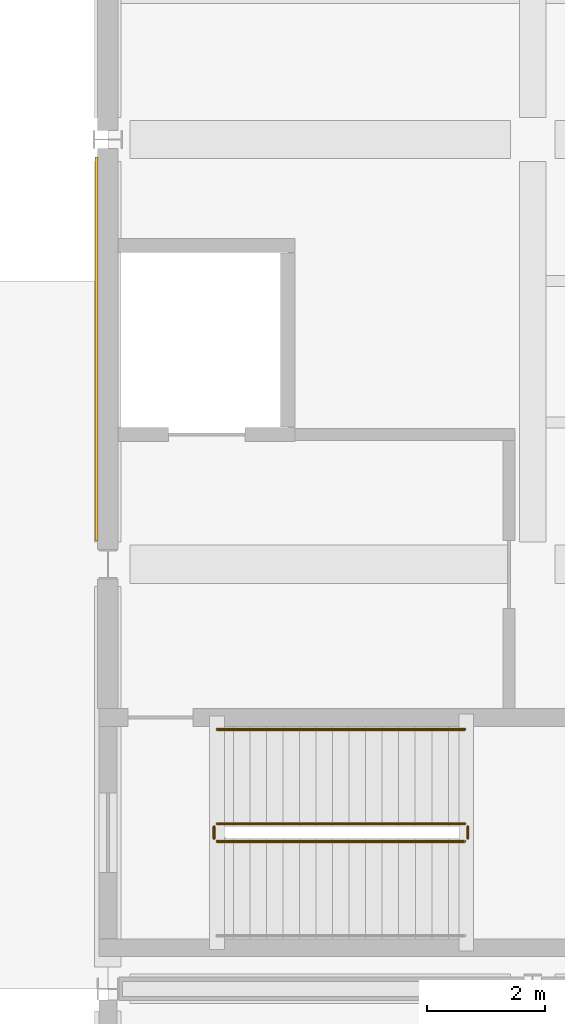
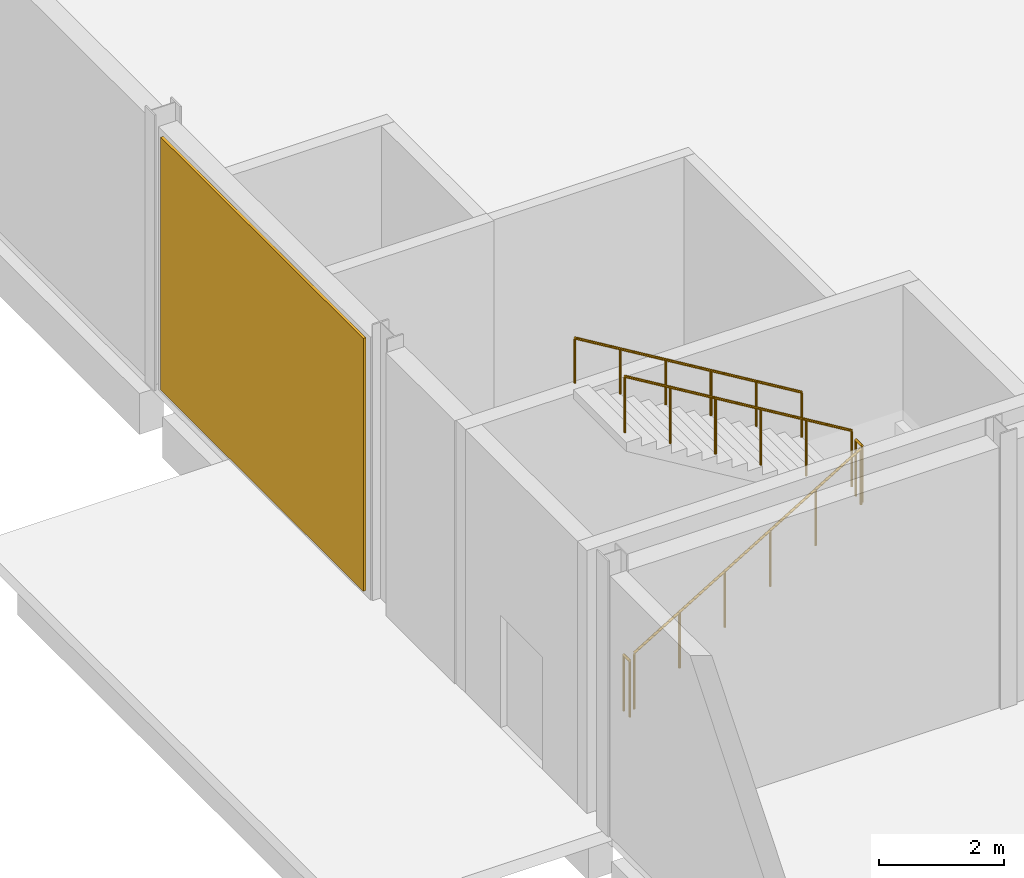
# One storey, part 41 of 46: 5 railings, 1 covering.
"""IFC4 building model written with IfcOpenShell, lengths in metres."""

from ifc_helpers import new_model, si_unit, direction, frame, origin, origin_2d, place, context, subcontext, project, spatial, rectangle, circle, extrude, material, layer, layer_set, type_object, element, save


model = new_model("IFC4")

# Units and contexts
model_context = context("Model", 3, precision=1e-05, world=origin(), true_north=direction((0.0, 1.0)))
body_context = subcontext(model_context, "Body", "Model", "MODEL_VIEW")
ifc_project = project(units=[si_unit("LENGTHUNIT", "METRE"), si_unit("AREAUNIT", "SQUARE_METRE"), si_unit("VOLUMEUNIT", "CUBIC_METRE"), si_unit("PLANEANGLEUNIT", "RADIAN"), si_unit("MASSUNIT", "GRAM", prefix="KILO"), si_unit("THERMODYNAMICTEMPERATUREUNIT", "KELVIN"), si_unit("POWERUNIT", "WATT")], contexts=[model_context])

# Site, building, storey
site_placement = place(None, origin())
site = spatial("IfcSite", under=ifc_project, at=site_placement, CompositionType="ELEMENT")
building_placement = place(site_placement, origin())
building = spatial("IfcBuilding", under=site, at=building_placement, Name="Kaldorven Railside Theatre", CompositionType="ELEMENT")
storey_placement = place(building_placement, origin())
storey = spatial("IfcBuildingStorey", under=building, at=storey_placement, Name="L00", CompositionType="ELEMENT", Elevation=0.0)

# Covering
ifc_material_1 = material(Name="Bush-hammered precast concrete C40/50", Category="concrete")
ifc_layer = layer(ifc_material_1, 0.050048828125, Name="Bush-hammered precast concrete C40/50")
ifc_layer_set = layer_set([ifc_layer], Name="Bush-hammered precast concrete C40/50")
covering_type = type_object("IfcCoveringType", Name="COV-CLD-01", PredefinedType="CLADDING", material=ifc_layer_set)
covering_placement = place(storey_placement, frame((87.00390625, 94.85009765625, 0.10009765625), z_axis=(0.0, 0.0, 1.0), x_axis=(0.0, 1.0, 0.0)))
element("IfcCovering", 1, at=covering_placement, inside=storey, type_object=covering_type, Name="Bush-Hammered Laterite Rainscreen Panel CLD-029", PredefinedType="CLADDING", context=body_context, shape_type="SweptSolid", body=[
    extrude(rectangle(XDim=6.5, YDim=0.050048828125, at=origin_2d()), origin(), (0.0, 0.0, 1.0), 4.949951171875),
])

# Railings
ifc_material_2 = material(Name="Steel S355", Category="steel")
railing_type_1 = type_object("IfcRailingType", Name="RLG-STG-1100", PredefinedType="BALUSTRADE", material=ifc_material_2)
railing_1_placement = place(storey_placement, frame((89.050048828125, 86.5, 0.168701171875)))
element("IfcRailing", 2, at=railing_1_placement, inside=storey, type_object=railing_type_1, Name="L00 ST-05 stair guard 1", PredefinedType="BALUSTRADE", context=body_context, shape_type="SweptSolid", body=[
    extrude(circle(Radius=0.02392578125, at=origin_2d()), frame((0.0, 0.0, 1.09619140625), z_axis=(0.856476492594, 0.0, 0.516186030065), x_axis=(0.0, 1.0, 0.0)), (0.0, 0.0, 1.0), 4.90380859375),
    extrude(circle(Radius=0.02099609375, at=origin_2d()), origin(), (0.0, 0.0, 1.0), 1.072021484375),
    extrude(circle(Radius=0.02099609375, at=origin_2d()), frame((0.840087890625, 0.0, 0.50634765625)), (0.0, 0.0, 1.0), 1.072021484375),
    extrude(circle(Radius=0.02099609375, at=origin_2d()), frame((1.679931640625, 0.0, 1.012451171875)), (0.0, 0.0, 1.0), 1.072021484375),
    extrude(circle(Radius=0.02099609375, at=origin_2d()), frame((2.52001953125, 0.0, 1.518798828125)), (0.0, 0.0, 1.0), 1.072021484375),
    extrude(circle(Radius=0.02099609375, at=origin_2d()), frame((3.35986328125, 0.0, 2.02490234375)), (0.0, 0.0, 1.0), 1.072021484375),
    extrude(circle(Radius=0.02099609375, at=origin_2d()), frame((4.199951171875, 0.0, 2.53125)), (0.0, 0.0, 1.0), 1.072021484375),
])
railing_2_placement = place(storey_placement, frame((93.300048828125, 86.550048828125, 2.699951171875)))
element("IfcRailing", 3, at=railing_2_placement, inside=storey, type_object=railing_type_1, Name="L00 ST-05 stair guard 2", PredefinedType="BALUSTRADE", context=body_context, shape_type="SweptSolid", body=[
    extrude(circle(Radius=0.02392578125, at=origin_2d()), frame((0.0, 0.0, 1.09619140625), z_axis=(0.0, 1.0, 0.0), x_axis=(-1.0, 0.0, 0.0)), (0.0, 0.0, 1.0), 0.199951171875),
    extrude(circle(Radius=0.02099609375, at=origin_2d()), origin(), (0.0, 0.0, 1.0), 1.072021484375),
    extrude(circle(Radius=0.02099609375, at=origin_2d()), frame((0.0, 0.199951171875, 0.0)), (0.0, 0.0, 1.0), 1.072021484375),
])
railing_3_placement = place(storey_placement, frame((93.25, 86.800048828125, 2.86865234375)))
element("IfcRailing", 4, at=railing_3_placement, inside=storey, type_object=railing_type_1, Name="L00 ST-05 stair guard 3", PredefinedType="BALUSTRADE", context=body_context, shape_type="SweptSolid", body=[
    extrude(circle(Radius=0.02392578125, at=origin_2d()), frame((0.0, 0.0, 1.09619140625), z_axis=(-0.856476492594, 0.0, 0.516186030065), x_axis=(0.0, -1.0, 0.0)), (0.0, 0.0, 1.0), 4.90380859375),
    extrude(circle(Radius=0.02099609375, at=origin_2d()), origin(), (0.0, 0.0, 1.0), 1.072021484375),
    extrude(circle(Radius=0.02099609375, at=origin_2d()), frame((-0.840087890625, 0.0, 0.50634765625)), (0.0, 0.0, 1.0), 1.072021484375),
    extrude(circle(Radius=0.02099609375, at=origin_2d()), frame((-1.679931640625, 0.0, 1.012451171875)), (0.0, 0.0, 1.0), 1.072021484375),
    extrude(circle(Radius=0.02099609375, at=origin_2d()), frame((-2.52001953125, 0.0, 1.518798828125)), (0.0, 0.0, 1.0), 1.072021484375),
    extrude(circle(Radius=0.02099609375, at=origin_2d()), frame((-3.35986328125, 0.0, 2.02490234375)), (0.0, 0.0, 1.0), 1.072021484375),
    extrude(circle(Radius=0.02099609375, at=origin_2d()), frame((-4.199951171875, 0.0, 2.53125)), (0.0, 0.0, 1.0), 1.072021484375),
])
railing_4_placement = place(storey_placement, frame((89.0, 86.550048828125, 0.0)))
element("IfcRailing", 5, at=railing_4_placement, inside=storey, type_object=railing_type_1, Name="L00 ST-05 stair guard 4", PredefinedType="BALUSTRADE", context=body_context, shape_type="SweptSolid", body=[
    extrude(circle(Radius=0.02392578125, at=origin_2d()), frame((0.0, 0.0, 1.09619140625), z_axis=(0.0, 1.0, 0.0), x_axis=(-1.0, 0.0, 0.0)), (0.0, 0.0, 1.0), 0.199951171875),
    extrude(circle(Radius=0.02099609375, at=origin_2d()), origin(), (0.0, 0.0, 1.0), 1.072021484375),
    extrude(circle(Radius=0.02099609375, at=origin_2d()), frame((0.0, 0.199951171875, 0.0)), (0.0, 0.0, 1.0), 1.072021484375),
])
railing_type_2 = type_object("IfcRailingType", Name="RLG-STH-900", PredefinedType="HANDRAIL", material=ifc_material_2)
railing_5_placement = place(storey_placement, frame((93.25, 88.39990234375, 2.86865234375)))
element("IfcRailing", 6, at=railing_5_placement, inside=storey, type_object=railing_type_2, Name="L00 ST-05 stair handrail 2", PredefinedType="HANDRAIL", context=body_context, shape_type="SweptSolid", body=[
    extrude(circle(Radius=0.02392578125, at=origin_2d()), frame((0.0, 0.0, 0.8759765625), z_axis=(-0.856476492594, 0.0, 0.516186030065), x_axis=(0.0, -1.0, 0.0)), (0.0, 0.0, 1.0), 4.90380859375),
    extrude(circle(Radius=0.02099609375, at=origin_2d()), origin(), (0.0, 0.0, 1.0), 0.851806640625),
    extrude(circle(Radius=0.02099609375, at=origin_2d()), frame((-0.840087890625, 0.0, 0.50634765625)), (0.0, 0.0, 1.0), 0.851806640625),
    extrude(circle(Radius=0.02099609375, at=origin_2d()), frame((-1.679931640625, 0.0, 1.012451171875)), (0.0, 0.0, 1.0), 0.851806640625),
    extrude(circle(Radius=0.02099609375, at=origin_2d()), frame((-2.52001953125, 0.0, 1.518798828125)), (0.0, 0.0, 1.0), 0.851806640625),
    extrude(circle(Radius=0.02099609375, at=origin_2d()), frame((-3.35986328125, 0.0, 2.02490234375)), (0.0, 0.0, 1.0), 0.851806640625),
    extrude(circle(Radius=0.02099609375, at=origin_2d()), frame((-4.199951171875, 0.0, 2.53125)), (0.0, 0.0, 1.0), 0.851806640625),
])

save(model, "model.ifc")
